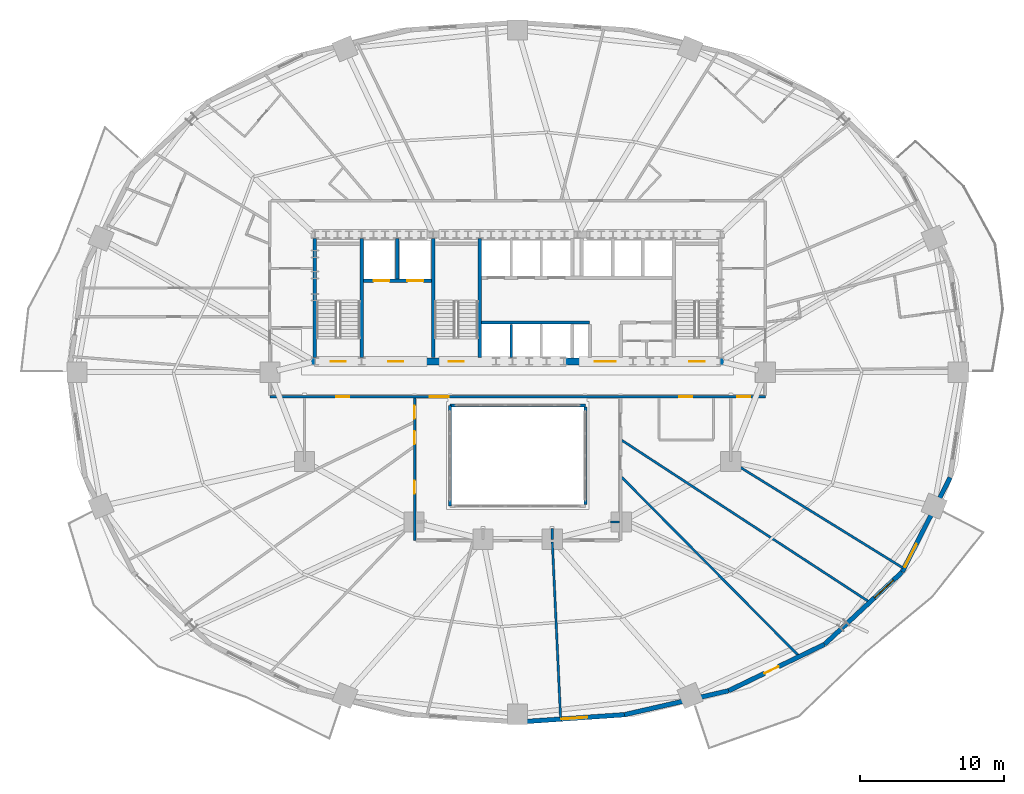
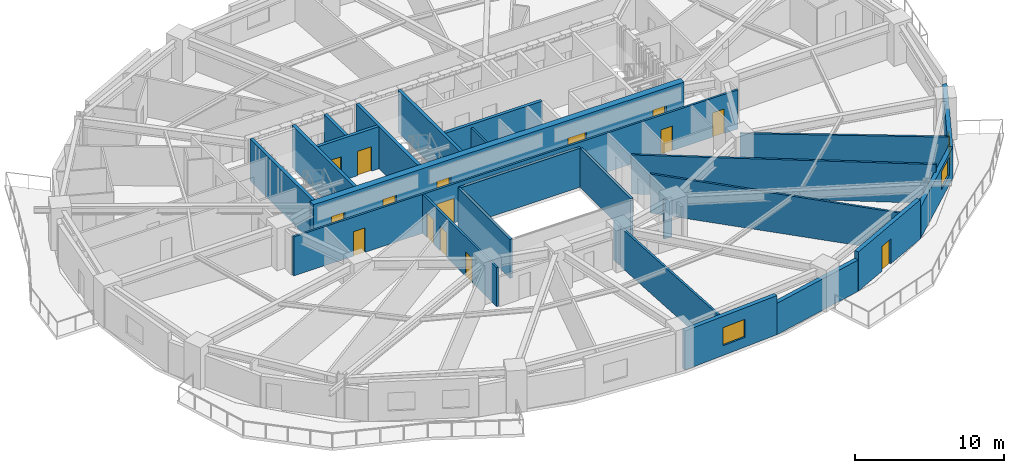
# One storey, part 10 of 17: 25 walls, 15 doors, 3 windows, 18 openings.
"""IFC4 building model written with IfcOpenShell, lengths in metres."""

from ifc_helpers import new_model, si_unit, direction, frame, frame_2d, origin, place, context, subcontext, project, spatial, rectangle, extrude, material, layer, layer_set, type_object, element, fill, save


model = new_model("IFC4")

# Units and contexts
model_context = context("Model", 3, precision=1e-05, world=origin(), true_north=direction((0.0, 1.0)))
body_context = subcontext(model_context, "Body", "Model", "MODEL_VIEW")
ifc_project = project(units=[si_unit("LENGTHUNIT", "METRE"), si_unit("AREAUNIT", "SQUARE_METRE"), si_unit("VOLUMEUNIT", "CUBIC_METRE"), si_unit("PLANEANGLEUNIT", "RADIAN"), si_unit("MASSUNIT", "GRAM", prefix="KILO")], contexts=[model_context])

# Site, building, storey
site_placement = place(None, origin())
site = spatial("IfcSite", under=ifc_project, at=site_placement, CompositionType="ELEMENT")
building_placement = place(site_placement, origin())
building = spatial("IfcBuilding", under=site, at=building_placement, Name="Haldorwick Loom Tower", CompositionType="ELEMENT")
storey_placement = place(building_placement, frame((0.0, 0.0, 37.800048828125)))
storey = spatial("IfcBuildingStorey", under=building, at=storey_placement, Name="L09", CompositionType="ELEMENT", Elevation=37.800048828125)

# Wall, opening, window
ifc_material_1 = material(Name="Pressed Clay Face Brick and Insulated Masonry Backup Assembly", Category="masonry")
ifc_layer_1 = layer(ifc_material_1, 0.320068359375, Name="Pressed Clay Face Brick and Insulated Masonry Backup Assembly", Category="masonry")
ifc_layer_set_1 = layer_set([ifc_layer_1], Name="Pressed Clay Face Brick and Insulated Masonry Backup Assembly")
wall_type_1 = type_object("IfcWallType", Name="ARC-WL-EXT320", PredefinedType="STANDARD", material=ifc_layer_set_1)
wall_1_placement = place(storey_placement, frame((36.0, 1.7099609375, 0.0), z_axis=(0.0, 0.0, 1.0), x_axis=(0.997645161917, 0.068586667092, 0.0)))
wall_1 = element("IfcWall", 1, at=wall_1_placement, inside=storey, type_object=wall_type_1, Name="L09 Brick Pier and Spandrel Wall 19", PredefinedType="STANDARD", context=body_context, shape_type="SweptSolid", body=[
    extrude(rectangle(XDim=7.428955078125, YDim=0.320068359375, at=frame_2d((3.71435546875, 0.0))), origin(), (0.0, 0.0, 1.0), 3.2099609375),
])
opening_1_placement = place(wall_1_placement, frame((3.055908203125, 0.0, 0.800048828125)))
opening_1 = element("IfcOpeningElement", 2, at=opening_1_placement, cuts=wall_1, Name="Opening W-01", PredefinedType="OPENING", context=body_context, shape_type="SweptSolid", body=[
    extrude(rectangle(XDim=1.800048828125, YDim=1.47998046875, at=frame_2d((0.89990234375, 0.739990234375))), frame((0.0, 0.169921875, 0.0), z_axis=(0.0, -1.0, 0.0), x_axis=(1.0, 0.0, 0.0)), (0.0, 0.0, 1.0), 0.340087890625),
])
ifc_material_2 = material(Name="Triple-Glazed Low-E Argon Insulated Glazing Unit", Category="glass")
window_type = type_object("IfcWindowType", Name="ARC-WIN-W180", PartitioningType="SINGLE_PANEL", PredefinedType="WINDOW", material=ifc_material_2)
window_1_placement = place(opening_1_placement, origin())
window_1 = element("IfcWindow", 3, at=window_1_placement, inside=storey, type_object=window_type, Name="L09 Deep-Set Zone 7A Window 19", OverallHeight=1.47998046875, OverallWidth=1.800048828125, PartitioningType="SINGLE_PANEL", PredefinedType="WINDOW", context=body_context, shape_type="SweptSolid", body=[
    extrude(rectangle(XDim=1.800048828125, YDim=1.47998046875, at=frame_2d((0.89990234375, 0.739990234375))), frame((0.0, 0.030029296875, 0.0), z_axis=(0.0, -1.0, 0.0), x_axis=(1.0, 0.0, 0.0)), (0.0, 0.0, 1.0), 0.06005859375),
])
fill(opening_1, window_1)

# Wall
wall_2_placement = place(storey_placement, frame((43.411376953125, 2.219482421875, 0.0), z_axis=(0.0, 0.0, 1.0), x_axis=(0.974522412345, 0.224290142088, 0.0)))
element("IfcWall", 4, at=wall_2_placement, inside=storey, type_object=wall_type_1, Name="L09 Brick Pier and Spandrel Wall 20", PredefinedType="STANDARD", context=body_context, shape_type="SweptSolid", body=[
    extrude(rectangle(XDim=7.422607421875, YDim=0.320068359375, at=frame_2d((3.71142578125, 0.0))), origin(), (0.0, 0.0, 1.0), 2.56884765625),
])

# Wall, opening, door
wall_3_placement = place(storey_placement, frame((50.644775390625, 3.88427734375, 0.0), z_axis=(0.0, 0.0, 1.0), x_axis=(0.900295710431, 0.435278800057, 0.0)))
wall_3 = element("IfcWall", 5, at=wall_3_placement, inside=storey, type_object=wall_type_1, Name="L09 Brick Pier and Spandrel Wall 21", PredefinedType="STANDARD", context=body_context, shape_type="SweptSolid", body=[
    extrude(rectangle(XDim=7.39697265625, YDim=0.320068359375, at=frame_2d((3.698486328125, 0.0))), origin(), (0.0, 0.0, 1.0), 3.2099609375),
])
opening_2_placement = place(wall_3_placement, frame((2.77783203125, 0.0, 0.0)))
opening_2 = element("IfcOpeningElement", 6, at=opening_2_placement, cuts=wall_3, Name="Opening D-BL11", PredefinedType="OPENING", context=body_context, shape_type="SweptSolid", body=[
    extrude(rectangle(XDim=1.080078125, YDim=2.0400390625, at=frame_2d((0.5400390625, 1.02001953125))), frame((0.0, 0.169921875, 0.0), z_axis=(0.0, -1.0, 0.0), x_axis=(1.0, 0.0, 0.0)), (0.0, 0.0, 1.0), 0.340087890625),
])
ifc_material_3 = material(Name="Thermally Broken Anodized Aluminium Curtain Wall Framing", Category="aluminium")
door_type_1 = type_object("IfcDoorType", Name="ARC-DR-BAL110", OperationType="NOTDEFINED", PredefinedType="DOOR", material=ifc_material_3)
door_1_placement = place(opening_2_placement, origin())
door_1 = element("IfcDoor", 7, at=door_1_placement, inside=storey, type_object=door_type_1, Name="L09 Outdoor Terrace Door SLB-L09-BAL_SE", OperationType="SINGLE_SWING_LEFT", OverallHeight=2.0400390625, OverallWidth=1.080078125, PredefinedType="DOOR", context=body_context, shape_type="SweptSolid", body=[
    extrude(rectangle(XDim=1.080078125, YDim=2.0400390625, at=frame_2d((0.5400390625, 1.02001953125))), frame((0.0, 0.02490234375, 0.0), z_axis=(0.0, -1.0, 0.0), x_axis=(1.0, 0.0, 0.0)), (0.0, 0.0, 1.0), 0.050048828125),
])
fill(opening_2, door_1)

# Wall, opening, window
wall_4_placement = place(storey_placement, frame((57.30419921875, 7.10400390625, 0.0), z_axis=(0.0, 0.0, 1.0), x_axis=(0.73176101237, 0.681561311091, 0.0)))
wall_4 = element("IfcWall", 8, at=wall_4_placement, inside=storey, type_object=wall_type_1, Name="L09 Brick Pier and Spandrel Wall 22", PredefinedType="STANDARD", context=body_context, shape_type="SweptSolid", body=[
    extrude(rectangle(XDim=7.3583984375, YDim=0.320068359375, at=frame_2d((3.67919921875, 0.0))), origin(), (0.0, 0.0, 1.0), 2.56884765625),
])
opening_3_placement = place(wall_4_placement, frame((4.736572265625, 0.0, 0.800048828125)))
opening_3 = element("IfcOpeningElement", 9, at=opening_3_placement, cuts=wall_4, Name="Opening W-01", PredefinedType="OPENING", context=body_context, shape_type="SweptSolid", body=[
    extrude(rectangle(XDim=1.800048828125, YDim=1.47998046875, at=frame_2d((0.89990234375, 0.739990234375))), frame((0.0, 0.169921875, 0.0), z_axis=(0.0, -1.0, 0.0), x_axis=(1.0, 0.0, 0.0)), (0.0, 0.0, 1.0), 0.340087890625),
])
window_2_placement = place(opening_3_placement, origin())
window_2 = element("IfcWindow", 10, at=window_2_placement, inside=storey, type_object=window_type, Name="L09 Deep-Set Zone 7A Window 22", OverallHeight=1.47998046875, OverallWidth=1.800048828125, PartitioningType="SINGLE_PANEL", PredefinedType="WINDOW", context=body_context, shape_type="SweptSolid", body=[
    extrude(rectangle(XDim=1.800048828125, YDim=1.47998046875, at=frame_2d((0.89990234375, 0.739990234375))), frame((0.0, 0.030029296875, 0.0), z_axis=(0.0, -1.0, 0.0), x_axis=(1.0, 0.0, 0.0)), (0.0, 0.0, 1.0), 0.06005859375),
])
fill(opening_3, window_2)

wall_5_placement = place(storey_placement, frame((62.688720703125, 12.119140625, 0.0), z_axis=(0.0, 0.0, 1.0), x_axis=(0.452950855928, 0.891535485617, 0.0)))
wall_5 = element("IfcWall", 11, at=wall_5_placement, inside=storey, type_object=wall_type_1, Name="L09 Brick Pier and Spandrel Wall 23", PredefinedType="STANDARD", context=body_context, shape_type="SweptSolid", body=[
    extrude(rectangle(XDim=7.3583984375, YDim=0.320068359375, at=frame_2d((3.67919921875, 0.0))), origin(), (0.0, 0.0, 1.0), 2.56884765625),
])
opening_4_placement = place(wall_5_placement, frame((0.400146484375, 0.0, 0.800048828125)))
opening_4 = element("IfcOpeningElement", 12, at=opening_4_placement, cuts=wall_5, Name="Opening W-01", PredefinedType="OPENING", context=body_context, shape_type="SweptSolid", body=[
    extrude(rectangle(XDim=1.800048828125, YDim=1.47998046875, at=frame_2d((0.89990234375, 0.739990234375))), frame((0.0, 0.169921875, 0.0), z_axis=(0.0, -1.0, 0.0), x_axis=(1.0, 0.0, 0.0)), (0.0, 0.0, 1.0), 0.340087890625),
])
window_3_placement = place(opening_4_placement, origin())
window_3 = element("IfcWindow", 13, at=window_3_placement, inside=storey, type_object=window_type, Name="L09 Deep-Set Zone 7A Window 23", OverallHeight=1.47998046875, OverallWidth=1.800048828125, PartitioningType="SINGLE_PANEL", PredefinedType="WINDOW", context=body_context, shape_type="SweptSolid", body=[
    extrude(rectangle(XDim=1.800048828125, YDim=1.47998046875, at=frame_2d((0.89990234375, 0.739990234375))), frame((0.0, 0.030029296875, 0.0), z_axis=(0.0, -1.0, 0.0), x_axis=(1.0, 0.0, 0.0)), (0.0, 0.0, 1.0), 0.06005859375),
])
fill(opening_4, window_3)

# Wall, openings, doors
ifc_material_4 = material(Name="Fire-Rated Type X Gypsum Stud Assembly EI 60")
ifc_layer_2 = layer(ifc_material_4, 0.159912109375, Name="Fire-Rated Type X Gypsum Stud Assembly EI 60")
ifc_layer_set_2 = layer_set([ifc_layer_2], Name="Fire-Rated Type X Gypsum Stud Assembly EI 60")
wall_type_2 = type_object("IfcWallType", Name="ARC-WL-FIRE160", PredefinedType="PARTITIONING", material=ifc_layer_set_2)
wall_6_placement = place(storey_placement, frame((18.800048828125, 24.300048828125, 0.0), z_axis=(0.0, 0.0, 1.0), x_axis=(1.0, 0.0, 0.0)))
wall_6 = element("IfcWall", 14, at=wall_6_placement, inside=storey, type_object=wall_type_2, Name="L09 Residential Fire Partition L09-CR-SP", PredefinedType="PARTITIONING", context=body_context, shape_type="SweptSolid", body=[
    extrude(rectangle(XDim=34.39990234375, YDim=0.159912109375, at=frame_2d((17.199951171875, 0.0))), origin(), (0.0, 0.0, 1.0), 3.195068359375),
])
opening_5_placement = place(wall_6_placement, frame((11.085693359375, 0.0, 0.0)))
opening_5 = element("IfcOpeningElement", 15, at=opening_5_placement, cuts=wall_6, Name="Opening D-CR15", PredefinedType="OPENING", context=body_context, shape_type="SweptSolid", body=[
    extrude(rectangle(XDim=1.35009765625, YDim=2.0, at=frame_2d((0.675048828125, 1.0))), frame((0.0, 0.08984375, 0.0), z_axis=(0.0, -1.0, 0.0), x_axis=(1.0, 0.0, 0.0)), (0.0, 0.0, 1.0), 0.179931640625),
])
opening_6_placement = place(wall_6_placement, frame((4.621826171875, 0.0, 0.0)))
opening_6 = element("IfcOpeningElement", 16, at=opening_6_placement, cuts=wall_6, Name="Opening D-FD60A", PredefinedType="OPENING", context=body_context, shape_type="SweptSolid", body=[
    extrude(rectangle(XDim=0.89990234375, YDim=2.0, at=frame_2d((0.449951171875, 1.0))), frame((0.0, 0.08984375, 0.0), z_axis=(0.0, -1.0, 0.0), x_axis=(1.0, 0.0, 0.0)), (0.0, 0.0, 1.0), 0.179931640625),
])
opening_7_placement = place(wall_6_placement, frame((28.437255859375, 0.0, 0.0)))
opening_7 = element("IfcOpeningElement", 17, at=opening_7_placement, cuts=wall_6, Name="Opening D-FD60A", PredefinedType="OPENING", context=body_context, shape_type="SweptSolid", body=[
    extrude(rectangle(XDim=0.89990234375, YDim=2.0, at=frame_2d((0.449951171875, 1.0))), frame((0.0, 0.08984375, 0.0), z_axis=(0.0, -1.0, 0.0), x_axis=(1.0, 0.0, 0.0)), (0.0, 0.0, 1.0), 0.179931640625),
])
opening_8_placement = place(wall_6_placement, frame((32.436767578125, 0.0, 0.0)))
opening_8 = element("IfcOpeningElement", 18, at=opening_8_placement, cuts=wall_6, Name="Opening D-FD60A", PredefinedType="OPENING", context=body_context, shape_type="SweptSolid", body=[
    extrude(rectangle(XDim=0.89990234375, YDim=2.0, at=frame_2d((0.449951171875, 1.0))), frame((0.0, 0.08984375, 0.0), z_axis=(0.0, -1.0, 0.0), x_axis=(1.0, 0.0, 0.0)), (0.0, 0.0, 1.0), 0.179931640625),
])
ifc_material_5 = material(Name="Thermally Broken Anodized Aluminium and Tempered Glass", Category="aluminium")
door_type_2 = type_object("IfcDoorType", Name="ARC-DR-COR150", OperationType="NOTDEFINED", PredefinedType="DOOR", material=ifc_material_5)
door_2_placement = place(opening_5_placement, origin())
door_2 = element("IfcDoor", 19, at=door_2_placement, inside=storey, type_object=door_type_2, Name="L09 L09 Central Residential Corridor to L09 South Atrium Corridor Door", OperationType="DOUBLE_DOOR_SINGLE_SWING", OverallHeight=2.0, OverallWidth=1.35009765625, PredefinedType="DOOR", context=body_context, shape_type="SweptSolid", body=[
    extrude(rectangle(XDim=1.35009765625, YDim=2.0, at=frame_2d((0.675048828125, 1.0))), frame((0.0, 0.02490234375, 0.0), z_axis=(0.0, -1.0, 0.0), x_axis=(1.0, 0.0, 0.0)), (0.0, 0.0, 1.0), 0.050048828125),
])
fill(opening_5, door_2)
ifc_material_6 = material(Name="Hollow Steel Fire Door Assembly", Category="steel")
door_type_3 = type_object("IfcDoorType", Name="ARC-DR-FD60-90", OperationType="NOTDEFINED", PredefinedType="DOOR", material=ifc_material_6)
door_3_placement = place(opening_6_placement, origin())
door_3 = element("IfcDoor", 20, at=door_3_placement, inside=storey, type_object=door_type_3, Name="L09 L09 Central Residential Corridor to Shared Resident Dining Hall 9 Do", OperationType="SINGLE_SWING_LEFT", OverallHeight=2.0, OverallWidth=0.89990234375, PredefinedType="DOOR", context=body_context, shape_type="SweptSolid", body=[
    extrude(rectangle(XDim=0.89990234375, YDim=2.0, at=frame_2d((0.449951171875, 1.0))), frame((0.0, 0.02490234375, 0.0), z_axis=(0.0, -1.0, 0.0), x_axis=(1.0, 0.0, 0.0)), (0.0, 0.0, 1.0), 0.050048828125),
])
fill(opening_6, door_3)
door_4_placement = place(opening_7_placement, origin())
door_4 = element("IfcDoor", 21, at=door_4_placement, inside=storey, type_object=door_type_3, Name="L09 L09 Central Residential Corridor to Common Accessible WC Door", OperationType="SINGLE_SWING_RIGHT", OverallHeight=2.0, OverallWidth=0.89990234375, PredefinedType="DOOR", context=body_context, shape_type="SweptSolid", body=[
    extrude(rectangle(XDim=0.89990234375, YDim=2.0, at=frame_2d((0.449951171875, 1.0))), frame((0.0, 0.02490234375, 0.0), z_axis=(0.0, -1.0, 0.0), x_axis=(1.0, 0.0, 0.0)), (0.0, 0.0, 1.0), 0.050048828125),
])
fill(opening_7, door_4)
door_5_placement = place(opening_8_placement, origin())
door_5 = element("IfcDoor", 22, at=door_5_placement, inside=storey, type_object=door_type_3, Name="L09 L09 Central Residential Corridor to Shared Resident Dining Hall 20 D", OperationType="SINGLE_SWING_RIGHT", OverallHeight=2.0, OverallWidth=0.89990234375, PredefinedType="DOOR", context=body_context, shape_type="SweptSolid", body=[
    extrude(rectangle(XDim=0.89990234375, YDim=2.0, at=frame_2d((0.449951171875, 1.0))), frame((0.0, 0.02490234375, 0.0), z_axis=(0.0, -1.0, 0.0), x_axis=(1.0, 0.0, 0.0)), (0.0, 0.0, 1.0), 0.050048828125),
])
fill(opening_8, door_5)

wall_7_placement = place(storey_placement, frame((28.85009765625, 14.300048828125, 0.0), z_axis=(0.0, 0.0, 1.0), x_axis=(0.0, 1.0, 0.0)))
wall_7 = element("IfcWall", 23, at=wall_7_placement, inside=storey, type_object=wall_type_2, Name="L09 Residential Fire Partition L09-CR-AW", PredefinedType="PARTITIONING", context=body_context, shape_type="SweptSolid", body=[
    extrude(rectangle(XDim=9.9169921875, YDim=0.159912109375, at=frame_2d((4.95849609375, 0.0))), origin(), (0.0, 0.0, 1.0), 3.195068359375),
])
opening_9_placement = place(wall_7_placement, frame((3.27685546875, 0.0, 0.0)))
opening_9 = element("IfcOpeningElement", 24, at=opening_9_placement, cuts=wall_7, Name="Opening D-FD60A", PredefinedType="OPENING", context=body_context, shape_type="SweptSolid", body=[
    extrude(rectangle(XDim=0.89990234375, YDim=2.0, at=frame_2d((0.449951171875, 1.0))), frame((0.0, 0.08984375, 0.0), z_axis=(0.0, -1.0, 0.0), x_axis=(1.0, 0.0, 0.0)), (0.0, 0.0, 1.0), 0.179931640625),
])
opening_10_placement = place(wall_7_placement, frame((8.475341796875, 0.0, 0.0)))
opening_10 = element("IfcOpeningElement", 25, at=opening_10_placement, cuts=wall_7, Name="Opening D-FD60A", PredefinedType="OPENING", context=body_context, shape_type="SweptSolid", body=[
    extrude(rectangle(XDim=0.89990234375, YDim=2.0, at=frame_2d((0.449951171875, 1.0))), frame((0.0, 0.08984375, 0.0), z_axis=(0.0, -1.0, 0.0), x_axis=(1.0, 0.0, 0.0)), (0.0, 0.0, 1.0), 0.179931640625),
])
opening_11_placement = place(wall_7_placement, frame((6.71240234375, 0.0, 0.0)))
opening_11 = element("IfcOpeningElement", 26, at=opening_11_placement, cuts=wall_7, Name="Opening D-FD60A", PredefinedType="OPENING", context=body_context, shape_type="SweptSolid", body=[
    extrude(rectangle(XDim=0.89990234375, YDim=2.0, at=frame_2d((0.449951171875, 1.0))), frame((0.0, 0.08984375, 0.0), z_axis=(0.0, -1.0, 0.0), x_axis=(1.0, 0.0, 0.0)), (0.0, 0.0, 1.0), 0.179931640625),
])
door_6_placement = place(opening_9_placement, frame((0.89990234375, 0.0, 0.0), z_axis=(0.0, 0.0, 1.0), x_axis=(-1.0, 0.0, 0.0)))
door_6 = element("IfcDoor", 27, at=door_6_placement, inside=storey, type_object=door_type_3, Name="L09 Shared Resident Dining Hall 7 to L09 South Atrium Corridor Door", OperationType="SINGLE_SWING_LEFT", OverallHeight=2.0, OverallWidth=0.89990234375, PredefinedType="DOOR", context=body_context, shape_type="SweptSolid", body=[
    extrude(rectangle(XDim=0.89990234375, YDim=2.0, at=frame_2d((0.449951171875, 1.0))), frame((0.0, 0.02490234375, 0.0), z_axis=(0.0, -1.0, 0.0), x_axis=(1.0, 0.0, 0.0)), (0.0, 0.0, 1.0), 0.050048828125),
])
fill(opening_9, door_6)
door_7_placement = place(opening_10_placement, frame((0.89990234375, 0.0, 0.0), z_axis=(0.0, 0.0, 1.0), x_axis=(-1.0, 0.0, 0.0)))
door_7 = element("IfcDoor", 28, at=door_7_placement, inside=storey, type_object=door_type_3, Name="L09 Shared Resident Dining Hall 9 to L09 South Atrium Corridor Door", OperationType="SINGLE_SWING_LEFT", OverallHeight=2.0, OverallWidth=0.89990234375, PredefinedType="DOOR", context=body_context, shape_type="SweptSolid", body=[
    extrude(rectangle(XDim=0.89990234375, YDim=2.0, at=frame_2d((0.449951171875, 1.0))), frame((0.0, 0.02490234375, 0.0), z_axis=(0.0, -1.0, 0.0), x_axis=(1.0, 0.0, 0.0)), (0.0, 0.0, 1.0), 0.050048828125),
])
fill(opening_10, door_7)
door_8_placement = place(opening_11_placement, frame((0.89990234375, 0.0, 0.0), z_axis=(0.0, 0.0, 1.0), x_axis=(-1.0, 0.0, 0.0)))
door_8 = element("IfcDoor", 29, at=door_8_placement, inside=storey, type_object=door_type_3, Name="L09 Shared Resident Dining Hall 8 to L09 South Atrium Corridor Door", OperationType="SINGLE_SWING_RIGHT", OverallHeight=2.0, OverallWidth=0.89990234375, PredefinedType="DOOR", context=body_context, shape_type="SweptSolid", body=[
    extrude(rectangle(XDim=0.89990234375, YDim=2.0, at=frame_2d((0.449951171875, 1.0))), frame((0.0, 0.02490234375, 0.0), z_axis=(0.0, -1.0, 0.0), x_axis=(1.0, 0.0, 0.0)), (0.0, 0.0, 1.0), 0.050048828125),
])
fill(opening_11, door_8)

# Walls
wall_8_placement = place(storey_placement, frame((50.800048828125, 19.800048828125, 0.0), z_axis=(0.0, 0.0, 1.0), x_axis=(0.850535127124, -0.525918242248, 0.0)))
element("IfcWall", 30, at=wall_8_placement, inside=storey, type_object=wall_type_2, Name="L09 Residential Fire Partition L09-ICR-02", PredefinedType="PARTITIONING", context=body_context, shape_type="SweptSolid", body=[
    extrude(rectangle(XDim=14.0625, YDim=0.159912109375, at=frame_2d((7.03125, 0.0))), origin(), (0.0, 0.0, 1.0), 3.195068359375),
])
wall_9_placement = place(storey_placement, frame((38.40869140625, 14.217041015625, 0.0), z_axis=(0.0, 0.0, 1.0), x_axis=(0.046913692992, -0.998898946546, 0.0)))
element("IfcWall", 31, at=wall_9_placement, inside=storey, type_object=wall_type_2, Name="L09 Residential Fire Partition L09-ICR-05", PredefinedType="PARTITIONING", context=body_context, shape_type="SweptSolid", body=[
    extrude(rectangle(XDim=12.250244140625, YDim=0.159912109375, at=frame_2d((6.125, 0.0))), origin(), (0.0, 0.0, 1.0), 3.195068359375),
])
wall_10_placement = place(storey_placement, frame((42.449951171875, 15.60009765625, 0.0), z_axis=(0.0, 0.0, 1.0), x_axis=(1.0, 0.0, 0.0)))
element("IfcWall", 32, at=wall_10_placement, inside=storey, type_object=wall_type_2, Name="L09 Residential Fire Partition L09-ICA-03", PredefinedType="PARTITIONING", context=body_context, shape_type="SweptSolid", body=[
    extrude(rectangle(XDim=0.616943359375, YDim=0.159912109375, at=frame_2d((0.30859375, 0.0))), origin(), (0.0, 0.0, 1.0), 3.195068359375),
])
wall_11_placement = place(storey_placement, frame((38.39990234375, 15.14990234375, 0.0), z_axis=(0.0, 0.0, 1.0), x_axis=(0.0, -1.0, 0.0)))
element("IfcWall", 33, at=wall_11_placement, inside=storey, type_object=wall_type_2, Name="L09 Residential Fire Partition L09-ICA-04", PredefinedType="PARTITIONING", context=body_context, shape_type="SweptSolid", body=[
    extrude(rectangle(XDim=0.75, YDim=0.159912109375, at=frame_2d((0.375, 0.0))), origin(), (0.0, 0.0, 1.0), 3.195068359375),
])
wall_12_placement = place(storey_placement, frame((43.23291015625, 18.702392578125, 0.0), z_axis=(0.0, 0.0, 1.0), x_axis=(0.703965315015, -0.710234352348, 0.0)))
element("IfcWall", 34, at=wall_12_placement, inside=storey, type_object=wall_type_2, Name="L09 Suite Split Wall", PredefinedType="PARTITIONING", context=body_context, shape_type="SweptSolid", body=[
    extrude(rectangle(XDim=17.44677734375, YDim=0.159912109375, at=frame_2d((8.723388671875, 0.0))), origin(), (0.0, 0.0, 1.0), 3.195068359375),
])
wall_13_placement = place(storey_placement, frame((43.23291015625, 21.2744140625, 0.0), z_axis=(0.0, 0.0, 1.0), x_axis=(0.837153835171, -0.546967509326, 0.0)))
element("IfcWall", 35, at=wall_13_placement, inside=storey, type_object=wall_type_2, Name="L09 Suite Split Wall", PredefinedType="PARTITIONING", context=body_context, shape_type="SweptSolid", body=[
    extrude(rectangle(XDim=20.492919921875, YDim=0.159912109375, at=frame_2d((10.24658203125, 0.0))), origin(), (0.0, 0.0, 1.0), 3.195068359375),
])
ifc_material_7 = material(Name="Fire-Rated Type X Gypsum Stud Assembly EI 120")
ifc_layer_3 = layer(ifc_material_7, 0.199951171875, Name="Fire-Rated Type X Gypsum Stud Assembly EI 120")
ifc_layer_set_3 = layer_set([ifc_layer_3], Name="Fire-Rated Type X Gypsum Stud Assembly EI 120")
wall_type_3 = type_object("IfcWallType", Name="ARC-WL-FIRE200", PredefinedType="PARTITIONING", material=ifc_layer_set_3)
wall_14_placement = place(storey_placement, frame((31.300048828125, 23.699951171875, 0.0), z_axis=(0.0, 0.0, 1.0), x_axis=(1.0, 0.0, 0.0)))
element("IfcWall", 36, at=wall_14_placement, inside=storey, type_object=wall_type_3, Name="L09 Atrium Fire Enclosure Wall N", PredefinedType="PARTITIONING", context=body_context, shape_type="SweptSolid", body=[
    extrude(rectangle(XDim=9.39990234375, YDim=0.199951171875, at=frame_2d((4.699951171875, 0.0))), origin(), (0.0, 0.0, 1.0), 3.195068359375),
])
wall_15_placement = place(storey_placement, frame((31.300048828125, 16.699951171875, 0.0), z_axis=(0.0, 0.0, 1.0), x_axis=(0.0, 1.0, 0.0)))
element("IfcWall", 37, at=wall_15_placement, inside=storey, type_object=wall_type_3, Name="L09 Atrium Fire Enclosure Wall W", PredefinedType="PARTITIONING", context=body_context, shape_type="SweptSolid", body=[
    extrude(rectangle(XDim=7.0, YDim=0.199951171875, at=frame_2d((3.5, 0.0))), origin(), (0.0, 0.0, 1.0), 3.195068359375),
])
wall_16_placement = place(storey_placement, frame((40.699951171875, 23.596923828125, 0.0), z_axis=(0.0, 0.0, 1.0), x_axis=(0.0, -1.0, 0.0)))
element("IfcWall", 38, at=wall_16_placement, inside=storey, type_object=wall_type_3, Name="L09 Atrium Fire Enclosure Wall E", PredefinedType="PARTITIONING", context=body_context, shape_type="SweptSolid", body=[
    extrude(rectangle(XDim=6.7939453125, YDim=0.199951171875, at=frame_2d((3.39697265625, 0.0))), origin(), (0.0, 0.0, 1.0), 3.195068359375),
])
ifc_layer_4 = layer(ifc_material_7, 0.1650390625, Name="Fire-Rated Type X Gypsum Stud Assembly EI 120")
ifc_layer_set_4 = layer_set([ifc_layer_4], Name="Fire-Rated Type X Gypsum Stud Assembly EI 120")
wall_type_4 = type_object("IfcWallType", Name="ARC-WL-SHAFT160", PredefinedType="MOVABLE", material=ifc_layer_set_4)
wall_17_placement = place(storey_placement, frame((35.550048828125, 27.0029296875, 0.0), z_axis=(0.0, 0.0, 1.0), x_axis=(0.0, 1.0, 0.0)))
element("IfcWall", 39, at=wall_17_placement, inside=storey, type_object=wall_type_4, Name="L09 Mid-Rise Hoistway Divider 1", PredefinedType="MOVABLE", context=body_context, shape_type="SweptSolid", body=[
    extrude(rectangle(XDim=2.323974609375, YDim=0.159912109375, at=frame_2d((1.162109375, 0.0))), origin(), (0.0, 0.0, 1.0), 3.195068359375),
])

# Wall, openings, doors
ifc_material_8 = material(Name="Concrete C60 (60 MPa)", Category="concrete")
ifc_layer_5 = layer(ifc_material_8, 0.5, Name="Concrete C60 (60 MPa)", Category="concrete")
ifc_layer_set_5 = layer_set([ifc_layer_5], Name="Concrete C60 (60 MPa)")
wall_type_5 = type_object("IfcWallType", Name="STR-WL-CORE500", PredefinedType="SHEAR", material=ifc_layer_set_5)
wall_18_placement = place(storey_placement, frame((21.64990234375, 26.75, 0.0), z_axis=(0.0, 0.0, 1.0), x_axis=(1.0, 0.0, 0.0)))
wall_18 = element("IfcWall", 40, at=wall_18_placement, inside=storey, type_object=wall_type_5, Name="L09 Core Shear Wall S", PredefinedType="SHEAR", context=body_context, shape_type="SweptSolid", body=[
    extrude(rectangle(XDim=28.7001953125, YDim=0.5, at=frame_2d((14.35009765625, 0.0))), origin(), (0.0, 0.0, 1.0), 3.449951171875),
])
opening_12_placement = place(wall_18_placement, frame((1.375, 0.0, 0.0)))
opening_12 = element("IfcOpeningElement", 41, at=opening_12_placement, cuts=wall_18, Name="Opening D-FD60", PredefinedType="OPENING", context=body_context, shape_type="SweptSolid", body=[
    extrude(rectangle(XDim=1.050048828125, YDim=2.0, at=frame_2d((0.52490234375, 1.0))), frame((0.0, 0.260009765625, 0.0), z_axis=(0.0, -1.0, 0.0), x_axis=(1.0, 0.0, 0.0)), (0.0, 0.0, 1.0), 0.52001953125),
])
opening_13_placement = place(wall_18_placement, frame((5.375, 0.0, 0.0)))
opening_13 = element("IfcOpeningElement", 42, at=opening_13_placement, cuts=wall_18, Name="Opening D-FD60", PredefinedType="OPENING", context=body_context, shape_type="SweptSolid", body=[
    extrude(rectangle(XDim=1.050048828125, YDim=2.0, at=frame_2d((0.52490234375, 1.0))), frame((0.0, 0.260009765625, 0.0), z_axis=(0.0, -1.0, 0.0), x_axis=(1.0, 0.0, 0.0)), (0.0, 0.0, 1.0), 0.52001953125),
])
opening_14_placement = place(wall_18_placement, frame((9.574951171875, 0.0, 0.0)))
opening_14 = element("IfcOpeningElement", 43, at=opening_14_placement, cuts=wall_18, Name="Opening D-FD60", PredefinedType="OPENING", context=body_context, shape_type="SweptSolid", body=[
    extrude(rectangle(XDim=1.050048828125, YDim=2.0, at=frame_2d((0.52490234375, 1.0))), frame((0.0, 0.260009765625, 0.0), z_axis=(0.0, -1.0, 0.0), x_axis=(1.0, 0.0, 0.0)), (0.0, 0.0, 1.0), 0.52001953125),
])
opening_15_placement = place(wall_18_placement, frame((19.705078125, 0.0, 0.0)))
opening_15 = element("IfcOpeningElement", 44, at=opening_15_placement, cuts=wall_18, Name="Opening D-LB15", PredefinedType="OPENING", context=body_context, shape_type="SweptSolid", body=[
    extrude(rectangle(XDim=1.449951171875, YDim=2.0, at=frame_2d((0.72509765625, 1.0))), frame((0.0, 0.260009765625, 0.0), z_axis=(0.0, -1.0, 0.0), x_axis=(1.0, 0.0, 0.0)), (0.0, 0.0, 1.0), 0.52001953125),
])
opening_16_placement = place(wall_18_placement, frame((26.27490234375, 0.0, 0.0)))
opening_16 = element("IfcOpeningElement", 45, at=opening_16_placement, cuts=wall_18, Name="Opening D-FD60", PredefinedType="OPENING", context=body_context, shape_type="SweptSolid", body=[
    extrude(rectangle(XDim=1.050048828125, YDim=2.0, at=frame_2d((0.52490234375, 1.0))), frame((0.0, 0.260009765625, 0.0), z_axis=(0.0, -1.0, 0.0), x_axis=(1.0, 0.0, 0.0)), (0.0, 0.0, 1.0), 0.52001953125),
])
door_type_4 = type_object("IfcDoorType", Name="ARC-DR-FD60", OperationType="NOTDEFINED", PredefinedType="DOOR", material=ifc_material_6)
door_9_placement = place(opening_12_placement, origin())
door_9 = element("IfcDoor", 46, at=door_9_placement, inside=storey, type_object=door_type_4, Name="L09 Exit Stair ST-01 Fire Door", OperationType="SINGLE_SWING_LEFT", OverallHeight=2.0, OverallWidth=1.050048828125, PredefinedType="DOOR", context=body_context, shape_type="SweptSolid", body=[
    extrude(rectangle(XDim=1.050048828125, YDim=2.0, at=frame_2d((0.52490234375, 1.0))), frame((0.0, 0.02490234375, 0.0), z_axis=(0.0, -1.0, 0.0), x_axis=(1.0, 0.0, 0.0)), (0.0, 0.0, 1.0), 0.050048828125),
])
fill(opening_12, door_9)
door_10_placement = place(opening_13_placement, origin())
door_10 = element("IfcDoor", 47, at=door_10_placement, inside=storey, type_object=door_type_4, Name="L09 Firefighting Lift Lobby Fire Door", OperationType="SINGLE_SWING_RIGHT", OverallHeight=2.0, OverallWidth=1.050048828125, PredefinedType="DOOR", context=body_context, shape_type="SweptSolid", body=[
    extrude(rectangle(XDim=1.050048828125, YDim=2.0, at=frame_2d((0.52490234375, 1.0))), frame((0.0, 0.02490234375, 0.0), z_axis=(0.0, -1.0, 0.0), x_axis=(1.0, 0.0, 0.0)), (0.0, 0.0, 1.0), 0.050048828125),
])
fill(opening_13, door_10)
door_11_placement = place(opening_14_placement, origin())
door_11 = element("IfcDoor", 48, at=door_11_placement, inside=storey, type_object=door_type_4, Name="L09 Exit Stair ST-03 Fire Door", OperationType="SINGLE_SWING_LEFT", OverallHeight=2.0, OverallWidth=1.050048828125, PredefinedType="DOOR", context=body_context, shape_type="SweptSolid", body=[
    extrude(rectangle(XDim=1.050048828125, YDim=2.0, at=frame_2d((0.52490234375, 1.0))), frame((0.0, 0.02490234375, 0.0), z_axis=(0.0, -1.0, 0.0), x_axis=(1.0, 0.0, 0.0)), (0.0, 0.0, 1.0), 0.050048828125),
])
fill(opening_14, door_11)
door_12_placement = place(opening_16_placement, origin())
door_12 = element("IfcDoor", 49, at=door_12_placement, inside=storey, type_object=door_type_4, Name="L09 Exit Stair ST-02 Fire Door", OperationType="SINGLE_SWING_LEFT", OverallHeight=2.0, OverallWidth=1.050048828125, PredefinedType="DOOR", context=body_context, shape_type="SweptSolid", body=[
    extrude(rectangle(XDim=1.050048828125, YDim=2.0, at=frame_2d((0.52490234375, 1.0))), frame((0.0, 0.02490234375, 0.0), z_axis=(0.0, -1.0, 0.0), x_axis=(1.0, 0.0, 0.0)), (0.0, 0.0, 1.0), 0.050048828125),
])
fill(opening_16, door_12)
door_type_5 = type_object("IfcDoorType", Name="ARC-DR-LOB150", OperationType="NOTDEFINED", PredefinedType="DOOR", material=ifc_material_5)
door_13_placement = place(opening_15_placement, frame((1.449951171875, 0.0, 0.0), z_axis=(0.0, 0.0, 1.0), x_axis=(-1.0, 0.0, 0.0)))
door_13 = element("IfcDoor", 50, at=door_13_placement, inside=storey, type_object=door_type_5, Name="L09 Passenger Lift Lobby Fire Door", OperationType="DOUBLE_DOOR_SINGLE_SWING", OverallHeight=2.0, OverallWidth=1.449951171875, PredefinedType="DOOR", context=body_context, shape_type="SweptSolid", body=[
    extrude(rectangle(XDim=1.449951171875, YDim=2.0, at=frame_2d((0.72509765625, 1.0))), frame((0.0, 0.02490234375, 0.0), z_axis=(0.0, -1.0, 0.0), x_axis=(1.0, 0.0, 0.0)), (0.0, 0.0, 1.0), 0.050048828125),
])
fill(opening_15, door_13)

# Walls
ifc_material_9 = material(Name="Concrete C50 (50 MPa)", Category="concrete")
ifc_layer_6 = layer(ifc_material_9, 0.239990234375, Name="Concrete C50 (50 MPa)", Category="concrete")
ifc_layer_set_6 = layer_set([ifc_layer_6], Name="Concrete C50 (50 MPa)")
wall_type_6 = type_object("IfcWallType", Name="STR-WL-SHAFT240", PredefinedType="SHEAR", material=ifc_layer_set_6)
for number, where, z_axis, x_axis, name in (
    (51, (21.929931640625, 35.297119140625, 0.0), (0.0, 0.0, 1.0), (0.0, -1.0, 0.0), "L09 Core Shear Wall W"),
    (52, (25.169921875, 27.0029296875, 0.0), (0.0, 0.0, 1.0), (0.0, 1.0, 0.0), "L09 Core Shear Wall 1"),
    (53, (30.1298828125, 27.0029296875, 0.0), (0.0, 0.0, 1.0), (0.0, 1.0, 0.0), "L09 Core Shear Wall 2"),
    (54, (33.3701171875, 27.0029296875, 0.0), (0.0, 0.0, 1.0), (0.0, 1.0, 0.0), "L09 Core Shear Wall 3"),
):
    element("IfcWall", number, at=place(storey_placement, frame(where, z_axis=z_axis, x_axis=x_axis)), inside=storey, type_object=wall_type_6, Name=name, PredefinedType="SHEAR", context=body_context, shape_type="SweptSolid", body=[
        extrude(rectangle(XDim=8.294189453125, YDim=0.239990234375, at=frame_2d((4.14697265625, 0.0))), origin(), (0.0, 0.0, 1.0), 3.449951171875),
    ])

# Wall, openings, doors
wall_19_placement = place(storey_placement, frame((25.29296875, 32.35009765625, 0.0), z_axis=(0.0, 0.0, 1.0), x_axis=(1.0, 0.0, 0.0)))
wall_19 = element("IfcWall", 55, at=wall_19_placement, inside=storey, type_object=wall_type_6, Name="L09 Core Shear Wall FF", PredefinedType="SHEAR", context=body_context, shape_type="SweptSolid", body=[
    extrude(rectangle(XDim=4.714111328125, YDim=0.239990234375, at=frame_2d((2.35693359375, 0.0))), origin(), (0.0, 0.0, 1.0), 3.449951171875),
])
opening_17_placement = place(wall_19_placement, frame((0.70703125, 0.0, 0.0)))
opening_17 = element("IfcOpeningElement", 56, at=opening_17_placement, cuts=wall_19, Name="Opening LD-FF1", PredefinedType="OPENING", context=body_context, shape_type="SweptSolid", body=[
    extrude(rectangle(XDim=1.10009765625, YDim=2.0, at=frame_2d((0.550048828125, 1.0))), frame((0.0, 0.1298828125, 0.0), z_axis=(0.0, -1.0, 0.0), x_axis=(1.0, 0.0, 0.0)), (0.0, 0.0, 1.0), 0.260009765625),
])
opening_18_placement = place(wall_19_placement, frame((3.056884765625, 0.0, 0.0)))
opening_18 = element("IfcOpeningElement", 57, at=opening_18_placement, cuts=wall_19, Name="Opening LD-FF2", PredefinedType="OPENING", context=body_context, shape_type="SweptSolid", body=[
    extrude(rectangle(XDim=1.10009765625, YDim=2.0, at=frame_2d((0.550048828125, 1.0))), frame((0.0, 0.1298828125, 0.0), z_axis=(0.0, -1.0, 0.0), x_axis=(1.0, 0.0, 0.0)), (0.0, 0.0, 1.0), 0.260009765625),
])
door_type_6 = type_object("IfcDoorType", Name="ARC-DR-LD-FF", OperationType="NOTDEFINED", PredefinedType="USERDEFINED", material=ifc_material_6)
door_14_placement = place(opening_17_placement, origin())
door_14 = element("IfcDoor", 58, at=door_14_placement, inside=storey, type_object=door_type_6, Name="L09 Lift LF-FF1 Sliding Landing Door", ObjectType="LANDING DOOR", OperationType="DOUBLE_DOOR_SLIDING", OverallHeight=2.0, OverallWidth=1.10009765625, PredefinedType="USERDEFINED", context=body_context, shape_type="SweptSolid", body=[
    extrude(rectangle(XDim=1.10009765625, YDim=2.0, at=frame_2d((0.550048828125, 1.0))), frame((0.0, 0.02490234375, 0.0), z_axis=(0.0, -1.0, 0.0), x_axis=(1.0, 0.0, 0.0)), (0.0, 0.0, 1.0), 0.050048828125),
])
fill(opening_17, door_14)
door_15_placement = place(opening_18_placement, origin())
door_15 = element("IfcDoor", 59, at=door_15_placement, inside=storey, type_object=door_type_6, Name="L09 Lift LF-FF2 Sliding Landing Door", ObjectType="LANDING DOOR", OperationType="DOUBLE_DOOR_SLIDING", OverallHeight=2.0, OverallWidth=1.10009765625, PredefinedType="USERDEFINED", context=body_context, shape_type="SweptSolid", body=[
    extrude(rectangle(XDim=1.10009765625, YDim=2.0, at=frame_2d((0.550048828125, 1.0))), frame((0.0, 0.02490234375, 0.0), z_axis=(0.0, -1.0, 0.0), x_axis=(1.0, 0.0, 0.0)), (0.0, 0.0, 1.0), 0.050048828125),
])
fill(opening_18, door_15)

# Walls
wall_20_placement = place(storey_placement, frame((27.64990234375, 32.472900390625, 0.0), z_axis=(0.0, 0.0, 1.0), x_axis=(0.0, 1.0, 0.0)))
element("IfcWall", 60, at=wall_20_placement, inside=storey, type_object=wall_type_6, Name="L09 Core Shear Wall FFD", PredefinedType="SHEAR", context=body_context, shape_type="SweptSolid", body=[
    extrude(rectangle(XDim=2.82421875, YDim=0.239990234375, at=frame_2d((1.412109375, 0.0))), origin(), (0.0, 0.0, 1.0), 3.449951171875),
])
wall_21_placement = place(storey_placement, frame((33.492919921875, 29.449951171875, 0.0), z_axis=(0.0, 0.0, 1.0), x_axis=(1.0, 0.0, 0.0)))
element("IfcWall", 61, at=wall_21_placement, inside=storey, type_object=wall_type_6, Name="L09 Core Shear Wall LS1", PredefinedType="SHEAR", context=body_context, shape_type="SweptSolid", body=[
    extrude(rectangle(XDim=7.507080078125, YDim=0.239990234375, at=frame_2d((3.75341796875, 0.0))), origin(), (0.0, 0.0, 1.0), 3.449951171875),
])

save(model, "model.ifc")
